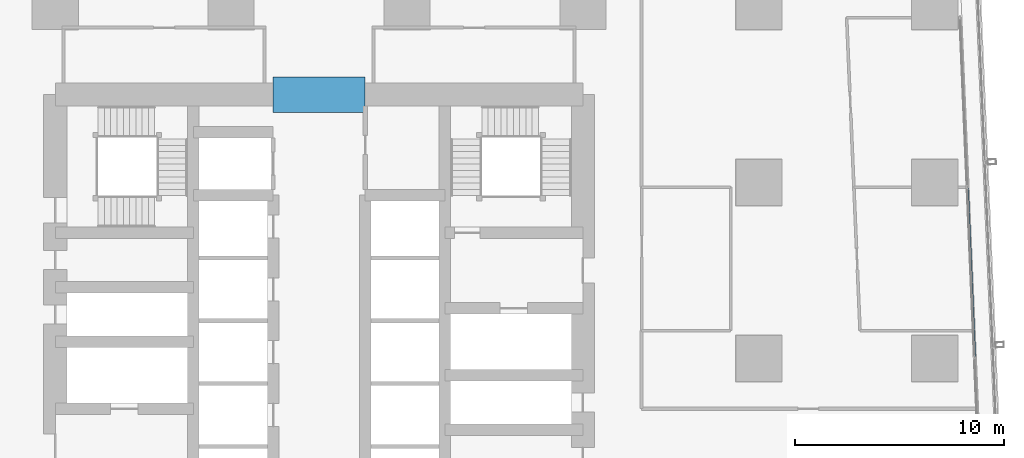
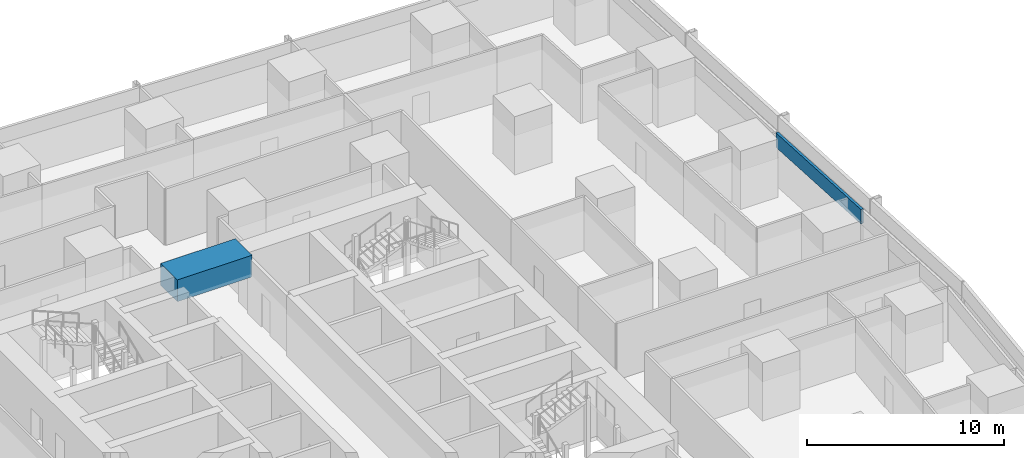
# One storey, part 19 of 44: 1 beam, 1 member, 1 element without a shape of its own.
"""IFC4 building model written with IfcOpenShell, lengths in metres."""

from ifc_helpers import new_model, si_unit, direction, frame, origin, origin_2d, place, context, subcontext, project, spatial, rectangle, hollow_rectangle, extrude, material, material_profile, profile_set, type_object, element, aggregate, save


model = new_model("IFC4")

# Units and contexts
model_context = context("Model", 3, precision=1e-05, world=origin(), true_north=direction((0.0, 1.0)))
body_context = subcontext(model_context, "Body", "Model", "MODEL_VIEW")
ifc_project = project(units=[si_unit("LENGTHUNIT", "METRE"), si_unit("AREAUNIT", "SQUARE_METRE"), si_unit("VOLUMEUNIT", "CUBIC_METRE"), si_unit("PLANEANGLEUNIT", "RADIAN"), si_unit("MASSUNIT", "GRAM", prefix="KILO")], contexts=[model_context])

# Site, building, storey
site_placement = place(None, origin())
site = spatial("IfcSite", under=ifc_project, at=site_placement, CompositionType="ELEMENT")
building_placement = place(site_placement, origin())
building = spatial("IfcBuilding", under=site, at=building_placement, Name="Rekha Terrace Tower", CompositionType="ELEMENT")
storey_placement = place(building_placement, frame((0.0, 0.0, 66.64990234375)))
storey = spatial("IfcBuildingStorey", under=building, at=storey_placement, Name="L16", CompositionType="ELEMENT", Elevation=66.64990234375)

# Curtain wall, member
ifc_material_1 = material(Name="Aluminium framing", Category="aluminium")
curtain_wall_type = type_object("IfcCurtainWallType", Name="CW1 double skin inner glazing", PredefinedType="USERDEFINED", material=ifc_material_1)
curtain_wall_placement = place(storey_placement, origin())
curtain_wall = element("IfcCurtainWall", 1, at=curtain_wall_placement, inside=storey, type_object=curtain_wall_type, Name="CW1 double skin inner glazing", ObjectType="DOUBLE SKIN INNER GLAZING", PredefinedType="USERDEFINED")
ifc_material_2 = material(Name="Insulated aluminium spandrel box", Category="aluminium")
ifc_material_profile_1 = material_profile(ifc_material_2, hollow_rectangle(XDim=0.14990234375, YDim=0.89990234375, WallThickness=0.0029296875, at=origin_2d()), Name="AL SPANDREL BOX 150x900")
ifc_profile_set_1 = profile_set([ifc_material_profile_1], Name="Insulated aluminium spandrel box")
member_type = type_object("IfcMemberType", Name="CW1 spandrel transom 150 x 900", PredefinedType="USERDEFINED", material=ifc_profile_set_1)
member_placement = place(storey_placement, frame((69.08935546875, 33.682861328125, 3.050048828125), z_axis=(-0.042698394831, 0.999088007674, 0.0), x_axis=(-0.999088007674, -0.042698394831, 0.0)))
member = element("IfcMember", 2, at=member_placement, type_object=member_type, Name="CW1 spandrel transom 2", ObjectType="TRANSOM", PredefinedType="USERDEFINED", context=body_context, shape_type="SweptSolid", body=[
    extrude(hollow_rectangle(XDim=0.14990234375, YDim=0.89990234375, WallThickness=0.0029296875, at=origin_2d()), origin(), (0.0, 0.0, 1.0), 8.073486328125),
])
aggregate(curtain_wall, [member])

# Beam
ifc_material_3 = material(Name="Concrete M70", Category="concrete")
ifc_material_profile_2 = material_profile(ifc_material_3, rectangle(XDim=1.699951171875, YDim=1.35009765625, at=origin_2d()), Name="RC 1700x1350")
ifc_profile_set_2 = profile_set([ifc_material_profile_2], Name="Concrete M70")
beam_type = type_object("IfcBeamType", Name="LB1A 1700x1350 diagonally reinforced coupling beam", PredefinedType="LINTEL", material=ifc_profile_set_2)
beam_placement = place(storey_placement, frame((35.60009765625, 46.199951171875, 3.0751953125), z_axis=(1.0, 0.0, 0.0), x_axis=(0.0, 1.0, 0.0)))
element("IfcBeam", 3, at=beam_placement, inside=storey, type_object=beam_type, Name="Coupling beam LB1A N L16", PredefinedType="LINTEL", context=body_context, shape_type="SweptSolid", body=[
    extrude(rectangle(XDim=1.699951171875, YDim=1.35009765625, at=origin_2d()), origin(), (0.0, 0.0, 1.0), 4.39990234375),
])

save(model, "model.ifc")
